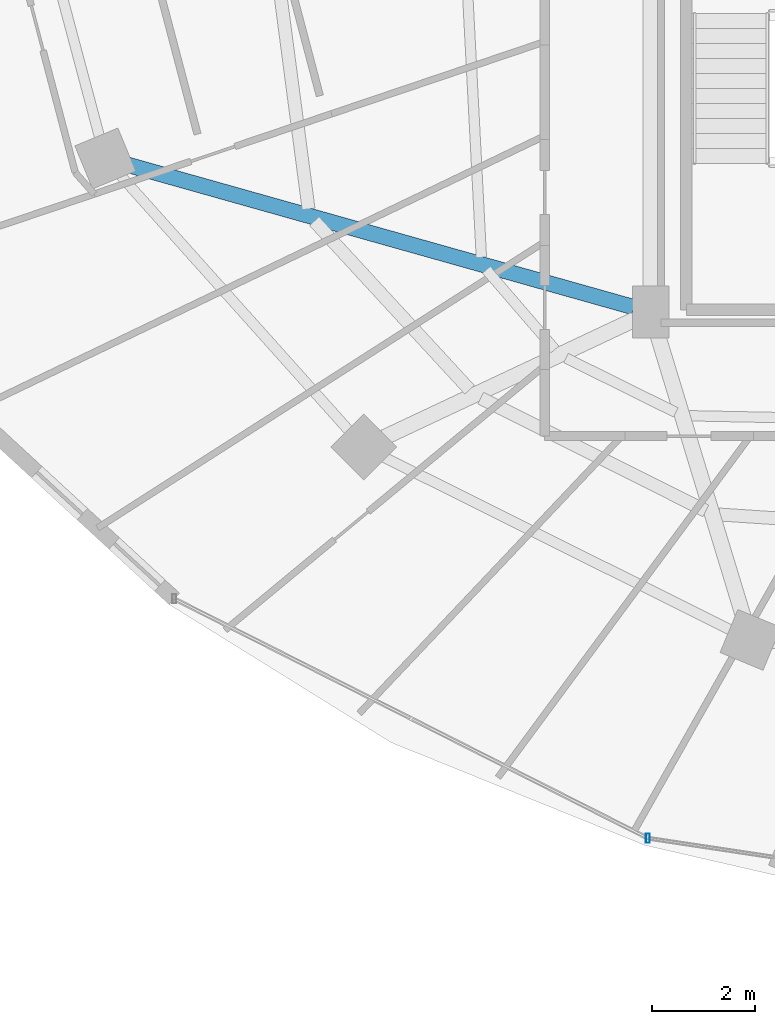
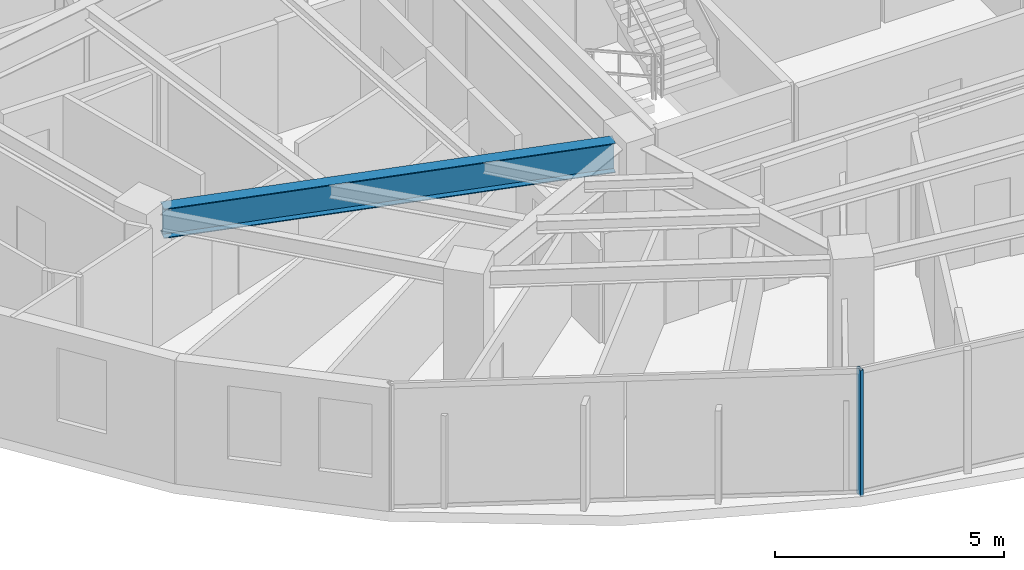
# One storey, part 3 of 34: 1 beam, 1 member, 1 element without a shape of its own.
"""IFC4 building model written with IfcOpenShell, lengths in metres."""

from ifc_helpers import new_model, si_unit, direction, frame, origin, origin_2d, place, context, subcontext, project, spatial, hollow_rectangle, i_section, extrude, material, material_profile, profile_set, type_object, element, aggregate, save


model = new_model("IFC4")

# Units and contexts
model_context = context("Model", 3, precision=1e-05, world=origin(), true_north=direction((0.0, 1.0)))
body_context = subcontext(model_context, "Body", "Model", "MODEL_VIEW")
ifc_project = project(units=[si_unit("LENGTHUNIT", "METRE"), si_unit("AREAUNIT", "SQUARE_METRE"), si_unit("VOLUMEUNIT", "CUBIC_METRE"), si_unit("PLANEANGLEUNIT", "RADIAN"), si_unit("MASSUNIT", "GRAM", prefix="KILO")], contexts=[model_context])

# Site, building, storey
site_placement = place(None, origin())
site = spatial("IfcSite", under=ifc_project, at=site_placement, CompositionType="ELEMENT")
building_placement = place(site_placement, origin())
building = spatial("IfcBuilding", under=site, at=building_placement, Name="Vorneva Point Tower", CompositionType="ELEMENT")
storey_placement = place(building_placement, frame((0.0, 0.0, 210.75)))
storey = spatial("IfcBuildingStorey", under=building, at=storey_placement, Name="L57", CompositionType="ELEMENT", Elevation=210.75)

# Beam
ifc_material_1 = material(Name="Steel S355", Category="steel")
ifc_material_profile_1 = material_profile(ifc_material_1, i_section(OverallWidth=0.300048828125, OverallDepth=0.7880859375, WebThickness=0.014404296875, FlangeThickness=0.02197265625, at=origin_2d()), Name="80Sh1")
ifc_profile_set_1 = profile_set([ifc_material_profile_1], Name="Steel S355")
beam_type = type_object("IfcBeamType", Name="BM-GRD-80Sh1", PredefinedType="USERDEFINED", material=ifc_profile_set_1)
beam_placement = place(storey_placement, frame((17.126220703125, 19.299072265625, 2.89599609375), z_axis=(0.962603641144, -0.270913694847, 0.0), x_axis=(0.270913694847, 0.962603641144, 0.0)))
element("IfcBeam", 1, at=beam_placement, inside=storey, type_object=beam_type, Name="L57 Radial Primary Girder 10", ObjectType="GIRDER", PredefinedType="USERDEFINED", context=body_context, shape_type="SweptSolid", body=[
    extrude(i_section(OverallWidth=0.300048828125, OverallDepth=0.7880859375, WebThickness=0.014404296875, FlangeThickness=0.02197265625, at=origin_2d()), origin(), (0.0, 0.0, 1.0), 10.177001953125),
])

# Curtain wall, member
ifc_material_2 = material(Name="Pale anodised aluminium", Category="aluminium")
curtain_wall_type = type_object("IfcCurtainWallType", Name="CW-RES-SYS", PredefinedType="NOTDEFINED", material=ifc_material_2)
curtain_wall_placement = place(storey_placement, origin())
curtain_wall = element("IfcCurtainWall", 2, at=curtain_wall_placement, inside=storey, type_object=curtain_wall_type, Name="L57 Unitised Curtain Wall CW-L57-R04", PredefinedType="NOTDEFINED")
ifc_material_profile_2 = material_profile(ifc_material_2, hollow_rectangle(XDim=0.074951171875, YDim=0.179931640625, WallThickness=0.00390625, at=origin_2d()), Name="AL-MUL 180x75x4")
ifc_profile_set_2 = profile_set([ifc_material_profile_2], Name="Pale anodised aluminium")
member_type = type_object("IfcMemberType", Name="CW-MUL-180", PredefinedType="MULLION", material=ifc_profile_set_2)
member_placement = place(storey_placement, frame((27.19677734375, 6.275146484375, -0.0400390625), z_axis=(0.0, 0.0, 1.0), x_axis=(1.0, 0.0, 0.0)))
member = element("IfcMember", 3, at=member_placement, type_object=member_type, Name="CW-L57-R04 Mullion 02", PredefinedType="MULLION", context=body_context, shape_type="SweptSolid", body=[
    extrude(hollow_rectangle(XDim=0.074951171875, YDim=0.179931640625, WallThickness=0.00390625, at=origin_2d()), origin(), (0.0, 0.0, 1.0), 3.360107421875),
])
aggregate(curtain_wall, [member])

save(model, "model.ifc")
